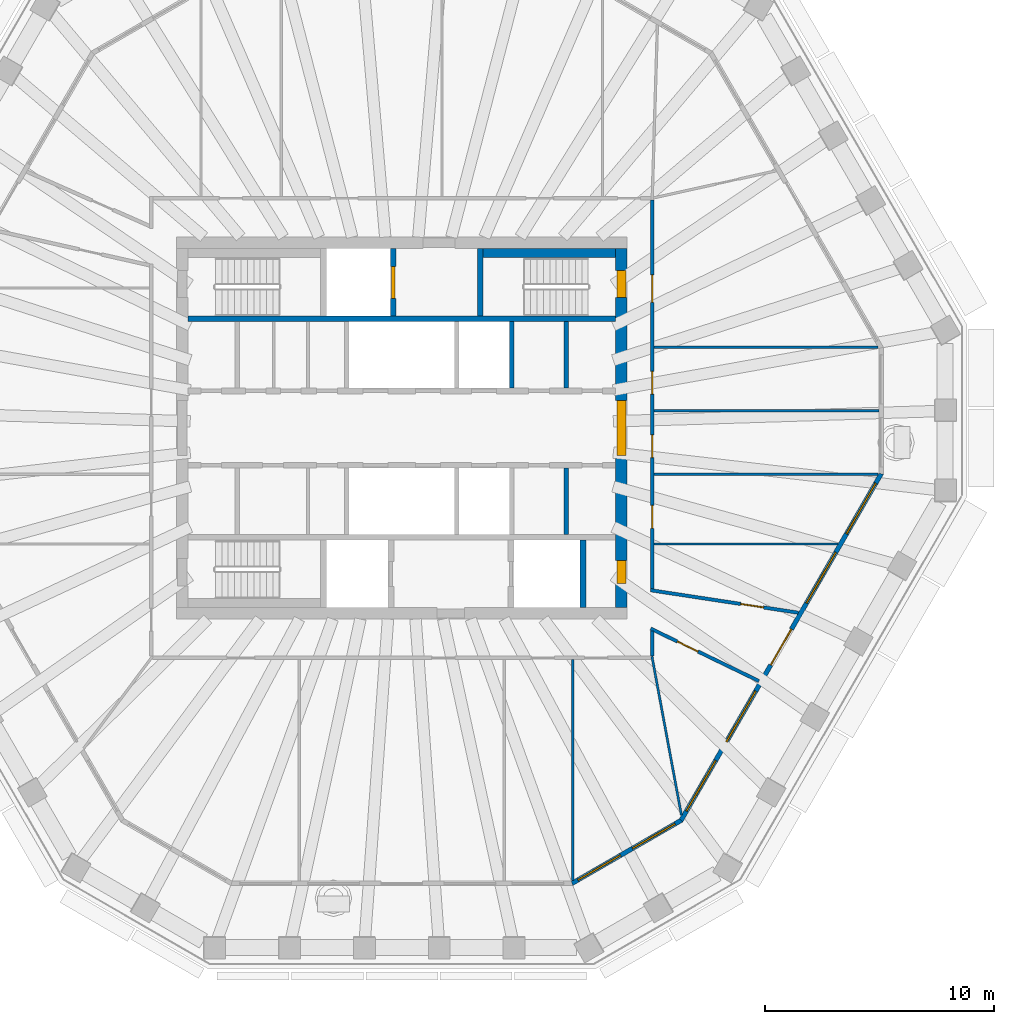
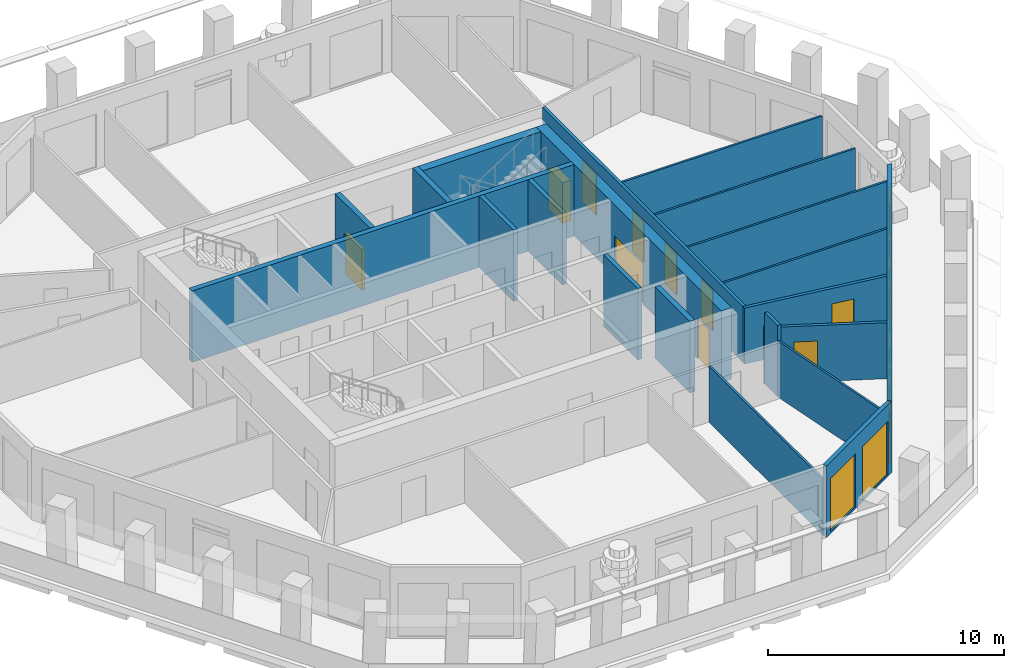
# One storey, part 5 of 11: 21 walls, 11 doors, 7 windows, 18 openings.
"""IFC4 building model written with IfcOpenShell, lengths in metres."""

from ifc_helpers import new_model, si_unit, direction, frame, frame_2d, origin, place, context, subcontext, project, spatial, polyline, rectangle, outline, extrude, material, layer, layer_set, type_object, element, fill, save


model = new_model("IFC4")

# Units and contexts
model_context = context("Model", 3, precision=1e-05, world=origin(), true_north=direction((0.0, 1.0)))
body_context = subcontext(model_context, "Body", "Model", "MODEL_VIEW")
ifc_project = project(units=[si_unit("LENGTHUNIT", "METRE"), si_unit("AREAUNIT", "SQUARE_METRE"), si_unit("VOLUMEUNIT", "CUBIC_METRE"), si_unit("PLANEANGLEUNIT", "RADIAN"), si_unit("MASSUNIT", "GRAM", prefix="KILO")], contexts=[model_context])

# Site, building, storey
site_placement = place(None, origin())
site = spatial("IfcSite", under=ifc_project, at=site_placement, CompositionType="ELEMENT")
building_placement = place(site_placement, origin())
building = spatial("IfcBuilding", under=site, at=building_placement, Name="Frailejon Research Tower", CompositionType="ELEMENT")
storey_placement = place(building_placement, frame((0.0, 0.0, 287.0)))
storey = spatial("IfcBuildingStorey", under=building, at=storey_placement, Name="L63", CompositionType="ELEMENT", Elevation=287.0)

# Wall, openings, doors
ifc_material_1 = material(Name="Concrete C50/60", Category="concrete")
ifc_layer_1 = layer(ifc_material_1, 0.5)
ifc_layer_set_1 = layer_set([ifc_layer_1], Name="Core shear wall 500 C50/60")
wall_type_1 = type_object("IfcWallType", Name="Core shear wall 500 C50/60", PredefinedType="SHEAR", material=ifc_layer_set_1)
wall_1_placement = place(storey_placement, frame((9.60009765625, -7.85009765625, 0.0), z_axis=(0.0, 0.0, 1.0), x_axis=(0.0, 1.0, 0.0)))
wall_1 = element("IfcWall", 1, at=wall_1_placement, inside=storey, type_object=wall_type_1, Name="Core shear wall", PredefinedType="SHEAR", context=body_context, shape_type="SweptSolid", body=[
    extrude(rectangle(XDim=15.7001953125, YDim=0.5, at=frame_2d((7.85009765625, 0.0))), origin(), (0.0, 0.0, 1.0), 3.699951171875),
])
opening_1_placement = place(wall_1_placement, frame((6.64990234375, 0.0, 0.0)))
opening_1 = element("IfcOpeningElement", 2, at=opening_1_placement, cuts=wall_1, Name="Opening D2", PredefinedType="OPENING", context=body_context, shape_type="SweptSolid", body=[
    extrude(rectangle(XDim=2.39990234375, YDim=2.10009765625, at=frame_2d((1.199951171875, 1.050048828125))), frame((0.0, 0.260009765625, 0.0), z_axis=(0.0, -1.0, 0.0), x_axis=(1.0, 0.0, 0.0)), (0.0, 0.0, 1.0), 0.52001953125),
])
opening_2_placement = place(wall_1_placement, frame((13.550048828125, 0.0, 0.0)))
opening_2 = element("IfcOpeningElement", 3, at=opening_2_placement, cuts=wall_1, Name="Opening D1", PredefinedType="OPENING", context=body_context, shape_type="SweptSolid", body=[
    extrude(rectangle(XDim=1.199951171875, YDim=2.10009765625, at=frame_2d((0.60009765625, 1.050048828125))), frame((0.0, 0.260009765625, 0.0), z_axis=(0.0, -1.0, 0.0), x_axis=(1.0, 0.0, 0.0)), (0.0, 0.0, 1.0), 0.52001953125),
])
opening_3_placement = place(wall_1_placement, frame((1.050048828125, 0.0, 0.0)))
opening_3 = element("IfcOpeningElement", 4, at=opening_3_placement, cuts=wall_1, Name="Opening D4", PredefinedType="OPENING", context=body_context, shape_type="SweptSolid", body=[
    extrude(rectangle(XDim=1.0, YDim=2.10009765625, at=frame_2d((0.5, 1.050048828125))), frame((0.0, 0.260009765625, 0.0), z_axis=(0.0, -1.0, 0.0), x_axis=(1.0, 0.0, 0.0)), (0.0, 0.0, 1.0), 0.52001953125),
])
ifc_material_2 = material(Name="Steel", Category="steel")
door_type_1 = type_object("IfcDoorType", Name="Lobby double door", OperationType="DOUBLE_DOOR_SINGLE_SWING", PredefinedType="DOOR", material=ifc_material_2)
door_1_placement = place(opening_1_placement, origin())
door_1 = element("IfcDoor", 5, at=door_1_placement, inside=storey, type_object=door_type_1, Name="Lobby door", OperationType="DOUBLE_DOOR_SINGLE_SWING", OverallHeight=2.10009765625, OverallWidth=2.39990234375, PredefinedType="DOOR", context=body_context, shape_type="SweptSolid", body=[
    extrude(rectangle(XDim=2.39990234375, YDim=2.10009765625, at=frame_2d((1.199951171875, 1.050048828125))), frame((0.0, 0.199951171875, 0.0), z_axis=(0.0, -1.0, 0.0), x_axis=(1.0, 0.0, 0.0)), (0.0, 0.0, 1.0), 0.39990234375),
])
fill(opening_1, door_1)
ifc_material_3 = material(Name="Steel", Category="steel")
door_type_2 = type_object("IfcDoorType", Name="Service door", OperationType="SINGLE_SWING_LEFT", PredefinedType="DOOR", material=ifc_material_3)
door_2_placement = place(opening_3_placement, origin())
door_2 = element("IfcDoor", 6, at=door_2_placement, inside=storey, type_object=door_type_2, Name="Riser door", OperationType="SINGLE_SWING_LEFT", OverallHeight=2.10009765625, OverallWidth=1.0, PredefinedType="DOOR", context=body_context, shape_type="SweptSolid", body=[
    extrude(rectangle(XDim=1.0, YDim=2.10009765625, at=frame_2d((0.5, 1.050048828125))), frame((0.0, 0.199951171875, 0.0), z_axis=(0.0, -1.0, 0.0), x_axis=(1.0, 0.0, 0.0)), (0.0, 0.0, 1.0), 0.39990234375),
])
fill(opening_3, door_2)
ifc_material_4 = material(Name="Steel", Category="steel")
door_type_3 = type_object("IfcDoorType", Name="Stair door", OperationType="SINGLE_SWING_LEFT", PredefinedType="DOOR", material=ifc_material_4)
door_3_placement = place(opening_2_placement, origin())
door_3 = element("IfcDoor", 7, at=door_3_placement, inside=storey, type_object=door_type_3, Name="Stair door ST3", OperationType="SINGLE_SWING_RIGHT", OverallHeight=2.10009765625, OverallWidth=1.199951171875, PredefinedType="DOOR", context=body_context, shape_type="SweptSolid", body=[
    extrude(rectangle(XDim=1.199951171875, YDim=2.10009765625, at=frame_2d((0.60009765625, 1.050048828125))), frame((0.0, 0.199951171875, 0.0), z_axis=(0.0, -1.0, 0.0), x_axis=(1.0, 0.0, 0.0)), (0.0, 0.0, 1.0), 0.39990234375),
])
fill(opening_2, door_3)

# Wall
ifc_material_5 = material(Name="Gypsum board and masonry partition", Category="masonry")
ifc_layer_2 = layer(ifc_material_5, 0.14990234375)
ifc_layer_set_2 = layer_set([ifc_layer_2], Name="Corridor wall EI 60, gypsum on steel studs 150")
wall_type_2 = type_object("IfcWallType", Name="Corridor wall EI 60, gypsum on steel studs 150", PredefinedType="PARTITIONING", material=ifc_layer_set_2)
wall_2_placement = place(storey_placement, frame((10.949951171875, -9.97509765625, 0.0), z_axis=(0.0, 0.0, 1.0), x_axis=(0.0, 1.0, 0.0)))
element("IfcWall", 8, at=wall_2_placement, inside=storey, type_object=wall_type_2, Name="T:IW:L63:003", PredefinedType="PARTITIONING", context=body_context, shape_type="SweptSolid", body=[
    extrude(rectangle(XDim=1.10009765625, YDim=0.14990234375, at=frame_2d((0.550048828125, 0.0))), origin(), (0.0, 0.0, 1.0), 3.699951171875),
])

# Wall, openings, doors
wall_3_placement = place(storey_placement, frame((10.949951171875, -7.02490234375, 0.0), z_axis=(0.0, 0.0, 1.0), x_axis=(0.0, 1.0, 0.0)))
wall_3 = element("IfcWall", 9, at=wall_3_placement, inside=storey, type_object=wall_type_2, Name="T:IW:L63:004", PredefinedType="PARTITIONING", context=body_context, shape_type="SweptSolid", body=[
    extrude(rectangle(XDim=17.0, YDim=0.14990234375, at=frame_2d((8.5, 0.0))), origin(), (0.0, 0.0, 1.0), 2.89990234375),
])
opening_4_placement = place(wall_3_placement, frame((8.506591796875, 0.0, 0.0)))
opening_4 = element("IfcOpeningElement", 10, at=opening_4_placement, cuts=wall_3, Name="Opening D2205", PredefinedType="OPENING", context=body_context, shape_type="SweptSolid", body=[
    extrude(rectangle(XDim=1.0, YDim=2.10009765625, at=frame_2d((0.5, 1.050048828125))), frame((0.0, 0.0849609375, 0.0), z_axis=(0.0, -1.0, 0.0), x_axis=(1.0, 0.0, 0.0)), (0.0, 0.0, 1.0), 0.169921875),
])
opening_5_placement = place(wall_3_placement, frame((12.523681640625, 0.0, 0.0)))
opening_5 = element("IfcOpeningElement", 11, at=opening_5_placement, cuts=wall_3, Name="Opening D2206", PredefinedType="OPENING", context=body_context, shape_type="SweptSolid", body=[
    extrude(rectangle(XDim=1.199951171875, YDim=2.10009765625, at=frame_2d((0.60009765625, 1.050048828125))), frame((0.0, 0.0849609375, 0.0), z_axis=(0.0, -1.0, 0.0), x_axis=(1.0, 0.0, 0.0)), (0.0, 0.0, 1.0), 0.169921875),
])
opening_6_placement = place(wall_3_placement, frame((2.6455078125, 0.0, 0.0)))
opening_6 = element("IfcOpeningElement", 12, at=opening_6_placement, cuts=wall_3, Name="Opening D2223", PredefinedType="OPENING", context=body_context, shape_type="SweptSolid", body=[
    extrude(rectangle(XDim=1.0, YDim=2.10009765625, at=frame_2d((0.5, 1.050048828125))), frame((0.0, 0.0849609375, 0.0), z_axis=(0.0, -1.0, 0.0), x_axis=(1.0, 0.0, 0.0)), (0.0, 0.0, 1.0), 0.169921875),
])
opening_7_placement = place(wall_3_placement, frame((5.728271484375, 0.0, 0.0)))
opening_7 = element("IfcOpeningElement", 13, at=opening_7_placement, cuts=wall_3, Name="Opening D2224", PredefinedType="OPENING", context=body_context, shape_type="SweptSolid", body=[
    extrude(rectangle(XDim=1.0, YDim=2.10009765625, at=frame_2d((0.5, 1.050048828125))), frame((0.0, 0.0849609375, 0.0), z_axis=(0.0, -1.0, 0.0), x_axis=(1.0, 0.0, 0.0)), (0.0, 0.0, 1.0), 0.169921875),
])
ifc_material_6 = material(Name="Timber door leaf", Category="wood")
door_type_4 = type_object("IfcDoorType", Name="Door single leaf, timber, steel frame 1000", OperationType="NOTDEFINED", PredefinedType="DOOR", material=ifc_material_6)
door_4_placement = place(opening_4_placement, origin())
door_4 = element("IfcDoor", 14, at=door_4_placement, inside=storey, type_object=door_type_4, Name="D2205", OperationType="SINGLE_SWING_LEFT", OverallHeight=2.10009765625, OverallWidth=1.0, PredefinedType="DOOR", context=body_context, shape_type="SweptSolid", body=[
    extrude(rectangle(XDim=1.0, YDim=2.10009765625, at=frame_2d((0.5, 1.050048828125))), frame((0.0, 0.02490234375, 0.0), z_axis=(0.0, -1.0, 0.0), x_axis=(1.0, 0.0, 0.0)), (0.0, 0.0, 1.0), 0.050048828125),
])
fill(opening_4, door_4)
door_5_placement = place(opening_6_placement, origin())
door_5 = element("IfcDoor", 15, at=door_5_placement, inside=storey, type_object=door_type_4, Name="D2223", OperationType="SINGLE_SWING_RIGHT", OverallHeight=2.10009765625, OverallWidth=1.0, PredefinedType="DOOR", context=body_context, shape_type="SweptSolid", body=[
    extrude(rectangle(XDim=1.0, YDim=2.10009765625, at=frame_2d((0.5, 1.050048828125))), frame((0.0, 0.02490234375, 0.0), z_axis=(0.0, -1.0, 0.0), x_axis=(1.0, 0.0, 0.0)), (0.0, 0.0, 1.0), 0.050048828125),
])
fill(opening_6, door_5)
door_6_placement = place(opening_7_placement, origin())
door_6 = element("IfcDoor", 16, at=door_6_placement, inside=storey, type_object=door_type_4, Name="D2224", OperationType="SINGLE_SWING_RIGHT", OverallHeight=2.10009765625, OverallWidth=1.0, PredefinedType="DOOR", context=body_context, shape_type="SweptSolid", body=[
    extrude(rectangle(XDim=1.0, YDim=2.10009765625, at=frame_2d((0.5, 1.050048828125))), frame((0.0, 0.02490234375, 0.0), z_axis=(0.0, -1.0, 0.0), x_axis=(1.0, 0.0, 0.0)), (0.0, 0.0, 1.0), 0.050048828125),
])
fill(opening_7, door_6)
ifc_material_7 = material(Name="Timber door leaf", Category="wood")
door_type_5 = type_object("IfcDoorType", Name="Door single leaf, timber, steel frame 1200", OperationType="NOTDEFINED", PredefinedType="DOOR", material=ifc_material_7)
door_7_placement = place(opening_5_placement, origin())
door_7 = element("IfcDoor", 17, at=door_7_placement, inside=storey, type_object=door_type_5, Name="D2206", OperationType="DOUBLE_DOOR_SINGLE_SWING", OverallHeight=2.10009765625, OverallWidth=1.199951171875, PredefinedType="DOOR", context=body_context, shape_type="SweptSolid", body=[
    extrude(rectangle(XDim=1.199951171875, YDim=2.10009765625, at=frame_2d((0.60009765625, 1.050048828125))), frame((0.0, 0.02490234375, 0.0), z_axis=(0.0, -1.0, 0.0), x_axis=(1.0, 0.0, 0.0)), (0.0, 0.0, 1.0), 0.050048828125),
])
fill(opening_5, door_7)

# Wall, opening, door
wall_4_placement = place(storey_placement, frame((10.882568359375, -8.767333984375, 0.0), z_axis=(0.0, 0.0, 1.0), x_axis=(0.900031721008, -0.435824392593, 0.0)))
wall_4 = element("IfcWall", 18, at=wall_4_placement, inside=storey, type_object=wall_type_2, Name="T:IW:L63:009", PredefinedType="PARTITIONING", context=body_context, shape_type="SweptSolid", body=[
    extrude(rectangle(XDim=5.255615234375, YDim=0.14990234375, at=frame_2d((2.6279296875, 0.0))), origin(), (0.0, 0.0, 1.0), 2.89990234375),
])
opening_8_placement = place(wall_4_placement, frame((1.295166015625, 0.0, 0.0)))
opening_8 = element("IfcOpeningElement", 19, at=opening_8_placement, cuts=wall_4, Name="Opening D2221", PredefinedType="OPENING", context=body_context, shape_type="SweptSolid", body=[
    extrude(rectangle(XDim=1.0, YDim=2.10009765625, at=frame_2d((0.5, 1.050048828125))), frame((0.0, 0.0849609375, 0.0), z_axis=(0.0, -1.0, 0.0), x_axis=(1.0, 0.0, 0.0)), (0.0, 0.0, 1.0), 0.169921875),
])
door_8_placement = place(opening_8_placement, origin())
door_8 = element("IfcDoor", 20, at=door_8_placement, inside=storey, type_object=door_type_4, Name="D2221", OperationType="SINGLE_SWING_RIGHT", OverallHeight=2.10009765625, OverallWidth=1.0, PredefinedType="DOOR", context=body_context, shape_type="SweptSolid", body=[
    extrude(rectangle(XDim=1.0, YDim=2.10009765625, at=frame_2d((0.5, 1.050048828125))), frame((0.0, 0.02490234375, 0.0), z_axis=(0.0, -1.0, 0.0), x_axis=(1.0, 0.0, 0.0)), (0.0, 0.0, 1.0), 0.050048828125),
])
fill(opening_8, door_8)

wall_5_placement = place(storey_placement, frame((10.8759765625, -7.088623046875, 0.0), z_axis=(0.0, 0.0, 1.0), x_axis=(0.988601194897, -0.150557887364, 0.0)))
wall_5 = element("IfcWall", 21, at=wall_5_placement, inside=storey, type_object=wall_type_2, Name="T:IW:L63:010", PredefinedType="PARTITIONING", context=body_context, shape_type="SweptSolid", body=[
    extrude(rectangle(XDim=6.534912109375, YDim=0.14990234375, at=frame_2d((3.267578125, 0.0))), origin(), (0.0, 0.0, 1.0), 2.89990234375),
])
opening_9_placement = place(wall_5_placement, frame((3.9951171875, 0.0, 0.0)))
opening_9 = element("IfcOpeningElement", 22, at=opening_9_placement, cuts=wall_5, Name="Opening D2222", PredefinedType="OPENING", context=body_context, shape_type="SweptSolid", body=[
    extrude(rectangle(XDim=1.0, YDim=2.10009765625, at=frame_2d((0.5, 1.050048828125))), frame((0.0, 0.0849609375, 0.0), z_axis=(0.0, -1.0, 0.0), x_axis=(1.0, 0.0, 0.0)), (0.0, 0.0, 1.0), 0.169921875),
])
door_9_placement = place(opening_9_placement, origin())
door_9 = element("IfcDoor", 23, at=door_9_placement, inside=storey, type_object=door_type_4, Name="D2222", OperationType="SINGLE_SWING_LEFT", OverallHeight=2.10009765625, OverallWidth=1.0, PredefinedType="DOOR", context=body_context, shape_type="SweptSolid", body=[
    extrude(rectangle(XDim=1.0, YDim=2.10009765625, at=frame_2d((0.5, 1.050048828125))), frame((0.0, 0.02490234375, 0.0), z_axis=(0.0, -1.0, 0.0), x_axis=(1.0, 0.0, 0.0)), (0.0, 0.0, 1.0), 0.050048828125),
])
fill(opening_9, door_9)

# Walls
ifc_material_8 = material(Name="Gypsum board and masonry partition", Category="masonry")
ifc_layer_3 = layer(ifc_material_8, 0.10009765625)
ifc_layer_set_3 = layer_set([ifc_layer_3], Name="Partition, gypsum on steel studs 100")
wall_type_3 = type_object("IfcWallType", Name="Partition, gypsum on steel studs 100", PredefinedType="PARTITIONING", material=ifc_layer_set_3)
wall_6_placement = place(storey_placement, frame((11.02490234375, 3.53271484375, 0.0), z_axis=(0.0, 0.0, 1.0), x_axis=(1.0, 0.0, 0.0)))
element("IfcWall", 24, at=wall_6_placement, inside=storey, type_object=wall_type_3, Name="T:IW:L63:011", PredefinedType="PARTITIONING", context=body_context, shape_type="SweptSolid", body=[
    extrude(rectangle(XDim=9.803466796875, YDim=0.10009765625, at=frame_2d((4.90185546875, 0.0))), origin(), (0.0, 0.0, 1.0), 2.89990234375),
])
wall_7_placement = place(storey_placement, frame((11.02490234375, 0.754150390625, 0.0), z_axis=(0.0, 0.0, 1.0), x_axis=(1.0, 0.0, 0.0)))
element("IfcWall", 25, at=wall_7_placement, inside=storey, type_object=wall_type_3, Name="T:IW:L63:012", PredefinedType="PARTITIONING", context=body_context, shape_type="SweptSolid", body=[
    extrude(rectangle(XDim=9.83447265625, YDim=0.10009765625, at=frame_2d((4.917236328125, 0.0))), origin(), (0.0, 0.0, 1.0), 2.89990234375),
])
wall_8_placement = place(storey_placement, frame((11.02490234375, -2.0244140625, 0.0), z_axis=(0.0, 0.0, 1.0), x_axis=(1.0, 0.0, 0.0)))
element("IfcWall", 26, at=wall_8_placement, inside=storey, type_object=wall_type_3, Name="T:IW:L63:021", PredefinedType="PARTITIONING", context=body_context, shape_type="SweptSolid", body=[
    extrude(rectangle(XDim=9.803466796875, YDim=0.10009765625, at=frame_2d((4.90185546875, 0.0))), origin(), (0.0, 0.0, 1.0), 2.89990234375),
])
wall_9_placement = place(storey_placement, frame((11.02490234375, -5.064697265625, 0.0), z_axis=(0.0, 0.0, 1.0), x_axis=(1.0, 0.0, 0.0)))
element("IfcWall", 27, at=wall_9_placement, inside=storey, type_object=wall_type_3, Name="T:IW:L63:023", PredefinedType="PARTITIONING", context=body_context, shape_type="SweptSolid", body=[
    extrude(rectangle(XDim=8.048095703125, YDim=0.10009765625, at=frame_2d((4.02392578125, 0.0))), origin(), (0.0, 0.0, 1.0), 2.89990234375),
])
wall_10_placement = place(storey_placement, frame((7.47021484375, -19.773193359375, 0.0), z_axis=(0.0, 0.0, 1.0), x_axis=(0.0, 1.0, 0.0)))
element("IfcWall", 28, at=wall_10_placement, inside=storey, type_object=wall_type_3, Name="T:IW:L63:027", PredefinedType="PARTITIONING", context=body_context, shape_type="SweptSolid", body=[
    extrude(rectangle(XDim=9.648193359375, YDim=0.10009765625, at=frame_2d((4.82421875, 0.0))), origin(), (0.0, 0.0, 1.0), 2.89990234375),
])
wall_11_placement = place(storey_placement, frame((10.936279296875, -9.976318359375, 0.0), z_axis=(0.0, 0.0, 1.0), x_axis=(0.182615097653, -0.983184482236, 0.0)))
element("IfcWall", 29, at=wall_11_placement, inside=storey, type_object=wall_type_3, Name="T:IW:L63:028", PredefinedType="PARTITIONING", context=body_context, shape_type="SweptSolid", body=[
    extrude(rectangle(XDim=7.065673828125, YDim=0.10009765625, at=frame_2d((3.53271484375, 0.0))), origin(), (0.0, 0.0, 1.0), 2.89990234375),
])
ifc_material_9 = material(Name="Concrete C50/60", Category="concrete")
ifc_layer_4 = layer(ifc_material_9, 0.199951171875)
ifc_layer_set_4 = layer_set([ifc_layer_4], Name="Shaft wall 200 C50/60")
wall_type_4 = type_object("IfcWallType", Name="Shaft wall 200 C50/60", PredefinedType="SOLIDWALL", material=ifc_layer_set_4)
for number, where, z_axis, x_axis, name in (
    (30, (4.800048828125, 1.75, 0.0), (0.0, 0.0, 1.0), (0.0, 1.0, 0.0), "Shaft wall"),
    (31, (7.199951171875, 1.75, 0.0), (0.0, 0.0, 1.0), (0.0, 1.0, 0.0), "Shaft wall"),
    (32, (7.199951171875, -4.64990234375, 0.0), (0.0, 0.0, 1.0), (0.0, 1.0, 0.0), "Shaft wall"),
):
    element("IfcWall", number, at=place(storey_placement, frame(where, z_axis=z_axis, x_axis=x_axis)), inside=storey, type_object=wall_type_4, Name=name, PredefinedType="SOLIDWALL", context=body_context, shape_type="SweptSolid", body=[
        extrude(rectangle(XDim=2.89990234375, YDim=0.199951171875, at=frame_2d((1.449951171875, 0.0))), origin(), (0.0, 0.0, 1.0), 3.699951171875),
    ])
ifc_material_10 = material(Name="Concrete C50/60", Category="concrete")
ifc_layer_5 = layer(ifc_material_10, 0.25)
ifc_layer_set_5 = layer_set([ifc_layer_5], Name="Shaft wall 250 C50/60")
wall_type_5 = type_object("IfcWallType", Name="Shaft wall 250 C50/60", PredefinedType="SOLIDWALL", material=ifc_layer_set_5)
wall_12_placement = place(storey_placement, frame((-9.35009765625, 4.77490234375, 0.0), z_axis=(0.0, 0.0, 1.0), x_axis=(1.0, 0.0, 0.0)))
element("IfcWall", 33, at=wall_12_placement, inside=storey, type_object=wall_type_5, Name="Shaft wall", PredefinedType="SOLIDWALL", context=body_context, shape_type="SweptSolid", body=[
    extrude(rectangle(XDim=18.7001953125, YDim=0.25, at=frame_2d((9.35009765625, 0.0))), origin(), (0.0, 0.0, 1.0), 3.699951171875),
])

# Wall, opening, door
wall_13_placement = place(storey_placement, frame((-0.375, 4.89990234375, 0.0), z_axis=(0.0, 0.0, 1.0), x_axis=(0.0, 1.0, 0.0)))
wall_13 = element("IfcWall", 34, at=wall_13_placement, inside=storey, type_object=wall_type_5, Name="Shaft wall", PredefinedType="SOLIDWALL", context=body_context, shape_type="SweptSolid", body=[
    extrude(rectangle(XDim=2.9501953125, YDim=0.25, at=frame_2d((1.47509765625, 0.0))), origin(), (0.0, 0.0, 1.0), 3.699951171875),
])
opening_10_placement = place(wall_13_placement, frame((0.77490234375, 0.0, 0.0)))
opening_10 = element("IfcOpeningElement", 35, at=opening_10_placement, cuts=wall_13, Name="Opening LD2", PredefinedType="OPENING", context=body_context, shape_type="SweptSolid", body=[
    extrude(rectangle(XDim=1.39990234375, YDim=2.10009765625, at=frame_2d((0.699951171875, 1.050048828125))), frame((0.0, 0.135009765625, 0.0), z_axis=(0.0, -1.0, 0.0), x_axis=(1.0, 0.0, 0.0)), (0.0, 0.0, 1.0), 0.27001953125),
])
ifc_material_11 = material(Name="Stainless steel", Category="steel")
door_type_6 = type_object("IfcDoorType", Name="Goods landing door", OperationType="DOUBLE_DOOR_SLIDING", PredefinedType="DOOR", material=ifc_material_11)
door_10_placement = place(opening_10_placement, origin())
door_10 = element("IfcDoor", 36, at=door_10_placement, inside=storey, type_object=door_type_6, Name="Lift landing door", OperationType="DOUBLE_DOOR_SLIDING", OverallHeight=2.10009765625, OverallWidth=1.39990234375, PredefinedType="DOOR", context=body_context, shape_type="SweptSolid", body=[
    extrude(rectangle(XDim=1.39990234375, YDim=2.10009765625, at=frame_2d((0.699951171875, 1.050048828125))), frame((0.0, 0.074951171875, 0.0), z_axis=(0.0, -1.0, 0.0), x_axis=(1.0, 0.0, 0.0)), (0.0, 0.0, 1.0), 0.14990234375),
])
fill(opening_10, door_10)

# Walls
for number, where, z_axis, x_axis, name in (
    (37, (3.425048828125, 4.89990234375, 0.0), (0.0, 0.0, 1.0), (0.0, 1.0, 0.0), "Shaft wall"),
    (38, (7.925048828125, -7.85009765625, 0.0), (0.0, 0.0, 1.0), (0.0, 1.0, 0.0), "Shaft wall"),
):
    element("IfcWall", number, at=place(storey_placement, frame(where, z_axis=z_axis, x_axis=x_axis)), inside=storey, type_object=wall_type_5, Name=name, PredefinedType="SOLIDWALL", context=body_context, shape_type="SweptSolid", body=[
        extrude(rectangle(XDim=2.9501953125, YDim=0.25, at=frame_2d((1.47509765625, 0.0))), origin(), (0.0, 0.0, 1.0), 3.699951171875),
    ])
ifc_material_12 = material(Name="Concrete C50/60", Category="concrete")
ifc_layer_6 = layer(ifc_material_12, 0.39990234375)
ifc_layer_set_6 = layer_set([ifc_layer_6], Name="Shaft wall 400 C50/60")
wall_type_6 = type_object("IfcWallType", Name="Shaft wall 400 C50/60", PredefinedType="SOLIDWALL", material=ifc_layer_set_6)
wall_14_placement = place(storey_placement, frame((3.550048828125, 7.64990234375, 0.0), z_axis=(0.0, 0.0, 1.0), x_axis=(1.0, 0.0, 0.0)))
element("IfcWall", 39, at=wall_14_placement, inside=storey, type_object=wall_type_6, Name="Shaft wall", PredefinedType="SOLIDWALL", context=body_context, shape_type="SweptSolid", body=[
    extrude(rectangle(XDim=5.800048828125, YDim=0.39990234375, at=frame_2d((2.89990234375, 0.0))), origin(), (0.0, 0.0, 1.0), 3.699951171875),
])

# Wall, openings, windows
ifc_material_13 = material(Name="Concrete C40/50 precast window wall panel", Category="concrete")
ifc_layer_7 = layer(ifc_material_13, 0.199951171875)
ifc_layer_set_7 = layer_set([ifc_layer_7], Name="Window wall 200")
wall_type_7 = type_object("IfcWallType", Name="Window wall 200", PredefinedType="SOLIDWALL", material=ifc_layer_set_7)
wall_15_placement = place(storey_placement, frame((7.443359375, -19.904296875, 0.0), z_axis=(0.0, 0.0, 1.0), x_axis=(0.866026017613, 0.499998936816, 0.0)))
wall_15 = element("IfcWall", 40, at=wall_15_placement, inside=storey, type_object=wall_type_7, Name="Exterior wall L63", PredefinedType="SOLIDWALL", context=body_context, shape_type="SweptSolid", body=[
    extrude(outline(polyline([(-0.02685546875, -0.10009765625), (1.08447265625, -0.10009765625), (2.196044921875, -0.10009765625), (3.307373046875, -0.10009765625), (4.4189453125, -0.10009765625), (5.5302734375, -0.10009765625), (5.4765625, 0.10009765625), (4.38671875, 0.10009765625), (3.296630859375, 0.10009765625), (2.206787109375, 0.10009765625), (1.11669921875, 0.10009765625), (0.02685546875, 0.10009765625), (-0.02685546875, -0.10009765625)])), origin(), (0.0, 0.0, 1.0), 3.699951171875),
])
opening_11_placement = place(wall_15_placement, frame((0.30078125, 0.0, 0.10009765625)))
opening_11 = element("IfcOpeningElement", 41, at=opening_11_placement, cuts=wall_15, Name="Opening W22", PredefinedType="OPENING", context=body_context, shape_type="SweptSolid", body=[
    extrude(rectangle(XDim=2.14990234375, YDim=2.75, at=frame_2d((1.074951171875, 1.375))), frame((0.0, 0.10986328125, 0.0), z_axis=(0.0, -1.0, 0.0), x_axis=(1.0, 0.0, 0.0)), (0.0, 0.0, 1.0), 0.219970703125),
])
opening_12_placement = place(wall_15_placement, frame((3.052490234375, 0.0, 0.10009765625)))
opening_12 = element("IfcOpeningElement", 42, at=opening_12_placement, cuts=wall_15, Name="Opening W22", PredefinedType="OPENING", context=body_context, shape_type="SweptSolid", body=[
    extrude(rectangle(XDim=2.14990234375, YDim=2.75, at=frame_2d((1.074951171875, 1.375))), frame((0.0, 0.10986328125, 0.0), z_axis=(0.0, -1.0, 0.0), x_axis=(1.0, 0.0, 0.0)), (0.0, 0.0, 1.0), 0.219970703125),
])
ifc_material_14 = material(Name="Aluminium framed double glazing", Category="aluminium")
window_type_1 = type_object("IfcWindowType", Name="Window 2150x2750", PartitioningType="SINGLE_PANEL", PredefinedType="WINDOW", material=ifc_material_14)
window_1_placement = place(opening_11_placement, origin())
window_1 = element("IfcWindow", 43, at=window_1_placement, inside=storey, type_object=window_type_1, Name="Window L63", OverallHeight=2.75, OverallWidth=2.14990234375, PartitioningType="SINGLE_PANEL", PredefinedType="WINDOW", context=body_context, shape_type="SweptSolid", body=[
    extrude(rectangle(XDim=2.14990234375, YDim=2.75, at=frame_2d((1.074951171875, 1.375))), frame((0.0, 0.030029296875, 0.0), z_axis=(0.0, -1.0, 0.0), x_axis=(1.0, 0.0, 0.0)), (0.0, 0.0, 1.0), 0.06005859375),
])
fill(opening_11, window_1)
window_2_placement = place(opening_12_placement, origin())
window_2 = element("IfcWindow", 44, at=window_2_placement, inside=storey, type_object=window_type_1, Name="Window L63", OverallHeight=2.75, OverallWidth=2.14990234375, PartitioningType="SINGLE_PANEL", PredefinedType="WINDOW", context=body_context, shape_type="SweptSolid", body=[
    extrude(rectangle(XDim=2.14990234375, YDim=2.75, at=frame_2d((1.074951171875, 1.375))), frame((0.0, 0.030029296875, 0.0), z_axis=(0.0, -1.0, 0.0), x_axis=(1.0, 0.0, 0.0)), (0.0, 0.0, 1.0), 0.06005859375),
])
fill(opening_12, window_2)

# Wall, openings, door, windows
wall_16_placement = place(storey_placement, frame((12.20947265625, -17.152587890625, 0.0), z_axis=(0.0, 0.0, 1.0), x_axis=(0.499999812077, 0.866025512282, 0.0)))
wall_16 = element("IfcWall", 45, at=wall_16_placement, inside=storey, type_object=wall_type_7, Name="Exterior wall L63", PredefinedType="SOLIDWALL", context=body_context, shape_type="SweptSolid", body=[
    extrude(outline(polyline([(-0.02685546875, -0.10009765625), (1.005615234375, -0.10009765625), (2.038330078125, -0.10009765625), (3.07080078125, -0.10009765625), (4.103271484375, -0.10009765625), (5.1357421875, -0.10009765625), (6.16845703125, -0.10009765625), (7.200927734375, -0.10009765625), (8.2333984375, -0.10009765625), (9.26611328125, -0.10009765625), (10.298583984375, -0.10009765625), (11.3310546875, -0.10009765625), (12.36376953125, -0.10009765625), (13.396240234375, -0.10009765625), (14.4287109375, -0.10009765625), (15.461181640625, -0.10009765625), (16.493896484375, -0.10009765625), (17.5263671875, -0.10009765625), (17.47265625, 0.10009765625), (16.446533203125, 0.10009765625), (15.420166015625, 0.10009765625), (14.39404296875, 0.10009765625), (13.36767578125, 0.10009765625), (12.341552734375, 0.10009765625), (11.3154296875, 0.10009765625), (10.2890625, 0.10009765625), (9.262939453125, 0.10009765625), (8.236572265625, 0.10009765625), (7.21044921875, 0.10009765625), (6.18408203125, 0.10009765625), (5.157958984375, 0.10009765625), (4.1318359375, 0.10009765625), (3.10546875, 0.10009765625), (2.079345703125, 0.10009765625), (1.052978515625, 0.10009765625), (0.02685546875, 0.10009765625), (-0.02685546875, -0.10009765625)])), origin(), (0.0, 0.0, 1.0), 3.699951171875),
])
opening_13_placement = place(wall_16_placement, frame((0.47509765625, 0.0, 0.10009765625)))
opening_13 = element("IfcOpeningElement", 46, at=opening_13_placement, cuts=wall_16, Name="Opening W25", PredefinedType="OPENING", context=body_context, shape_type="SweptSolid", body=[
    extrude(rectangle(XDim=2.550048828125, YDim=2.75, at=frame_2d((1.27490234375, 1.375))), frame((0.0, 0.10986328125, 0.0), z_axis=(0.0, -1.0, 0.0), x_axis=(1.0, 0.0, 0.0)), (0.0, 0.0, 1.0), 0.219970703125),
])
opening_14_placement = place(wall_16_placement, frame((3.974853515625, 0.0, 0.10009765625)))
opening_14 = element("IfcOpeningElement", 47, at=opening_14_placement, cuts=wall_16, Name="Opening W25", PredefinedType="OPENING", context=body_context, shape_type="SweptSolid", body=[
    extrude(rectangle(XDim=2.550048828125, YDim=2.75, at=frame_2d((1.27490234375, 1.375))), frame((0.0, 0.10986328125, 0.0), z_axis=(0.0, -1.0, 0.0), x_axis=(1.0, 0.0, 0.0)), (0.0, 0.0, 1.0), 0.219970703125),
])
opening_15_placement = place(wall_16_placement, frame((7.849853515625, 0.0, 0.0)))
opening_15 = element("IfcOpeningElement", 48, at=opening_15_placement, cuts=wall_16, Name="Opening LG63-6", PredefinedType="OPENING", context=body_context, shape_type="SweptSolid", body=[
    extrude(rectangle(XDim=1.800048828125, YDim=2.39990234375, at=frame_2d((0.89990234375, 1.199951171875))), frame((0.0, 0.10986328125, 0.0), z_axis=(0.0, -1.0, 0.0), x_axis=(1.0, 0.0, 0.0)), (0.0, 0.0, 1.0), 0.219970703125),
])
opening_16_placement = place(wall_16_placement, frame((7.849853515625, 0.0, 2.550048828125)))
opening_16 = element("IfcOpeningElement", 49, at=opening_16_placement, cuts=wall_16, Name="Opening W24", PredefinedType="OPENING", context=body_context, shape_type="SweptSolid", body=[
    extrude(rectangle(XDim=1.800048828125, YDim=0.300048828125, at=frame_2d((0.89990234375, 0.14990234375))), frame((0.0, 0.10986328125, 0.0), z_axis=(0.0, -1.0, 0.0), x_axis=(1.0, 0.0, 0.0)), (0.0, 0.0, 1.0), 0.219970703125),
])
opening_17_placement = place(wall_16_placement, frame((10.974609375, 0.0, 0.10009765625)))
opening_17 = element("IfcOpeningElement", 50, at=opening_17_placement, cuts=wall_16, Name="Opening W25", PredefinedType="OPENING", context=body_context, shape_type="SweptSolid", body=[
    extrude(rectangle(XDim=2.550048828125, YDim=2.75, at=frame_2d((1.27490234375, 1.375))), frame((0.0, 0.10986328125, 0.0), z_axis=(0.0, -1.0, 0.0), x_axis=(1.0, 0.0, 0.0)), (0.0, 0.0, 1.0), 0.219970703125),
])
opening_18_placement = place(wall_16_placement, frame((14.474609375, 0.0, 0.10009765625)))
opening_18 = element("IfcOpeningElement", 51, at=opening_18_placement, cuts=wall_16, Name="Opening W25", PredefinedType="OPENING", context=body_context, shape_type="SweptSolid", body=[
    extrude(rectangle(XDim=2.550048828125, YDim=2.75, at=frame_2d((1.27490234375, 1.375))), frame((0.0, 0.10986328125, 0.0), z_axis=(0.0, -1.0, 0.0), x_axis=(1.0, 0.0, 0.0)), (0.0, 0.0, 1.0), 0.219970703125),
])
ifc_material_15 = material(Name="Aluminium framed glazed door leaf", Category="aluminium")
door_type_7 = type_object("IfcDoorType", Name="Loggia door 1800x2400", OperationType="DOUBLE_DOOR_SINGLE_SWING", PredefinedType="DOOR", material=ifc_material_15)
door_11_placement = place(opening_15_placement, origin())
door_11 = element("IfcDoor", 52, at=door_11_placement, inside=storey, type_object=door_type_7, Name="Door LG63-6", OperationType="DOUBLE_DOOR_SINGLE_SWING", OverallHeight=2.39990234375, OverallWidth=1.800048828125, PredefinedType="DOOR", context=body_context, shape_type="SweptSolid", body=[
    extrude(rectangle(XDim=1.800048828125, YDim=2.39990234375, at=frame_2d((0.89990234375, 1.199951171875))), frame((0.0, 0.02490234375, 0.0), z_axis=(0.0, -1.0, 0.0), x_axis=(1.0, 0.0, 0.0)), (0.0, 0.0, 1.0), 0.050048828125),
])
fill(opening_15, door_11)
ifc_material_16 = material(Name="Aluminium framed double glazing", Category="aluminium")
window_type_2 = type_object("IfcWindowType", Name="Window 1800x300", PartitioningType="SINGLE_PANEL", PredefinedType="WINDOW", material=ifc_material_16)
window_3_placement = place(opening_16_placement, origin())
window_3 = element("IfcWindow", 53, at=window_3_placement, inside=storey, type_object=window_type_2, Name="Window L63", OverallHeight=0.300048828125, OverallWidth=1.800048828125, PartitioningType="SINGLE_PANEL", PredefinedType="WINDOW", context=body_context, shape_type="SweptSolid", body=[
    extrude(rectangle(XDim=1.800048828125, YDim=0.300048828125, at=frame_2d((0.89990234375, 0.14990234375))), frame((0.0, 0.030029296875, 0.0), z_axis=(0.0, -1.0, 0.0), x_axis=(1.0, 0.0, 0.0)), (0.0, 0.0, 1.0), 0.06005859375),
])
fill(opening_16, window_3)
ifc_material_17 = material(Name="Aluminium framed double glazing", Category="aluminium")
window_type_3 = type_object("IfcWindowType", Name="Window 2550x2750", PartitioningType="SINGLE_PANEL", PredefinedType="WINDOW", material=ifc_material_17)
window_4_placement = place(opening_13_placement, origin())
window_4 = element("IfcWindow", 54, at=window_4_placement, inside=storey, type_object=window_type_3, Name="Window L63", OverallHeight=2.75, OverallWidth=2.550048828125, PartitioningType="SINGLE_PANEL", PredefinedType="WINDOW", context=body_context, shape_type="SweptSolid", body=[
    extrude(rectangle(XDim=2.550048828125, YDim=2.75, at=frame_2d((1.27490234375, 1.375))), frame((0.0, 0.030029296875, 0.0), z_axis=(0.0, -1.0, 0.0), x_axis=(1.0, 0.0, 0.0)), (0.0, 0.0, 1.0), 0.06005859375),
])
fill(opening_13, window_4)
window_5_placement = place(opening_14_placement, origin())
window_5 = element("IfcWindow", 55, at=window_5_placement, inside=storey, type_object=window_type_3, Name="Window L63", OverallHeight=2.75, OverallWidth=2.550048828125, PartitioningType="SINGLE_PANEL", PredefinedType="WINDOW", context=body_context, shape_type="SweptSolid", body=[
    extrude(rectangle(XDim=2.550048828125, YDim=2.75, at=frame_2d((1.27490234375, 1.375))), frame((0.0, 0.030029296875, 0.0), z_axis=(0.0, -1.0, 0.0), x_axis=(1.0, 0.0, 0.0)), (0.0, 0.0, 1.0), 0.06005859375),
])
fill(opening_14, window_5)
window_6_placement = place(opening_17_placement, origin())
window_6 = element("IfcWindow", 56, at=window_6_placement, inside=storey, type_object=window_type_3, Name="Window L63", OverallHeight=2.75, OverallWidth=2.550048828125, PartitioningType="SINGLE_PANEL", PredefinedType="WINDOW", context=body_context, shape_type="SweptSolid", body=[
    extrude(rectangle(XDim=2.550048828125, YDim=2.75, at=frame_2d((1.27490234375, 1.375))), frame((0.0, 0.030029296875, 0.0), z_axis=(0.0, -1.0, 0.0), x_axis=(1.0, 0.0, 0.0)), (0.0, 0.0, 1.0), 0.06005859375),
])
fill(opening_17, window_6)
window_7_placement = place(opening_18_placement, origin())
window_7 = element("IfcWindow", 57, at=window_7_placement, inside=storey, type_object=window_type_3, Name="Window L63", OverallHeight=2.75, OverallWidth=2.550048828125, PartitioningType="SINGLE_PANEL", PredefinedType="WINDOW", context=body_context, shape_type="SweptSolid", body=[
    extrude(rectangle(XDim=2.550048828125, YDim=2.75, at=frame_2d((1.27490234375, 1.375))), frame((0.0, 0.030029296875, 0.0), z_axis=(0.0, -1.0, 0.0), x_axis=(1.0, 0.0, 0.0)), (0.0, 0.0, 1.0), 0.06005859375),
])
fill(opening_18, window_7)

save(model, "model.ifc")
